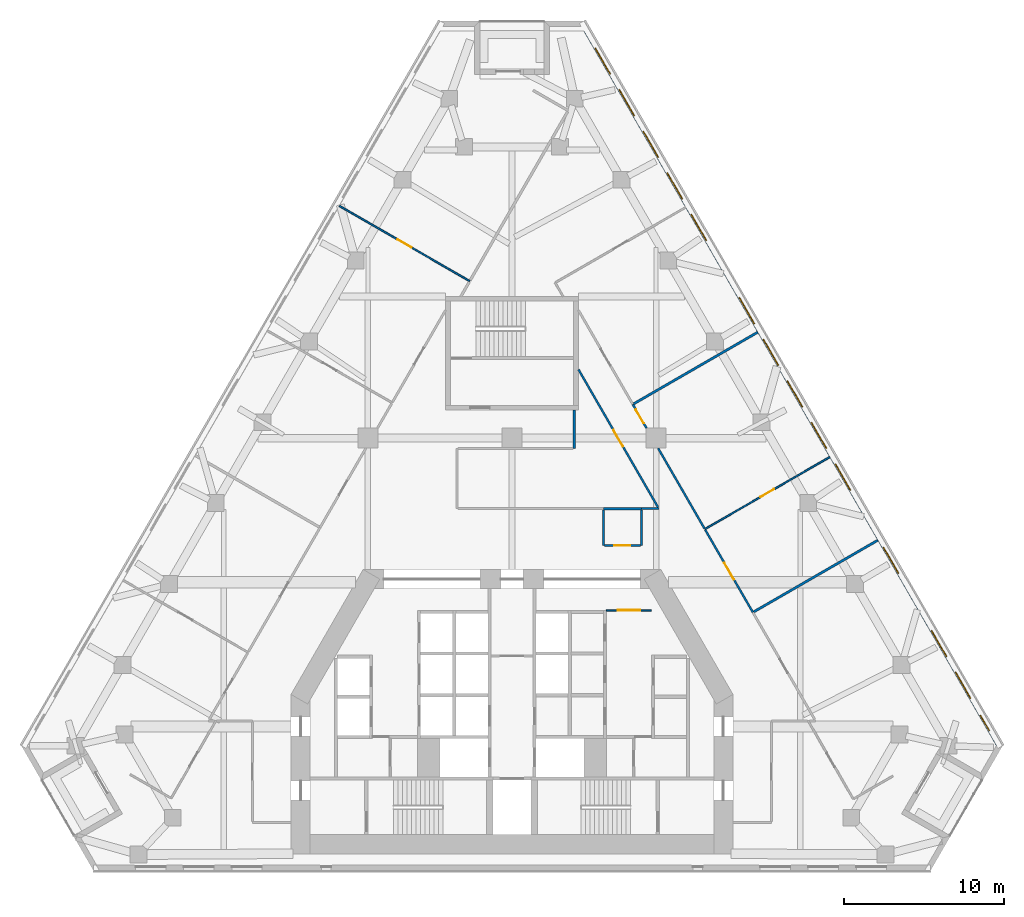
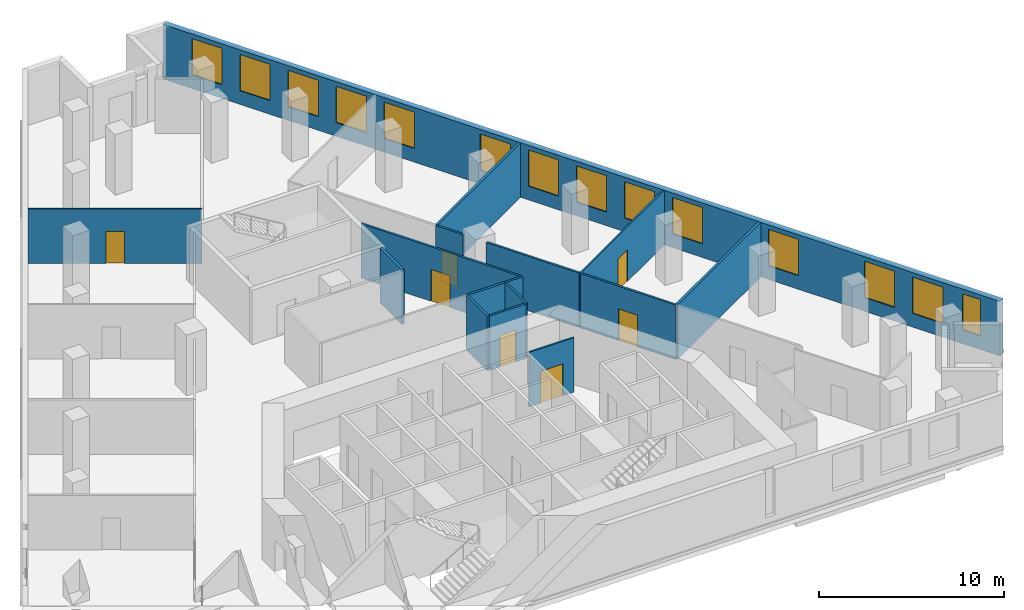
# One storey, part 7 of 9: 16 walls, 14 windows, 7 doors, 21 openings.
"""IFC4 building model written with IfcOpenShell, lengths in metres."""

from ifc_helpers import new_model, si_unit, direction, frame, frame_2d, origin, place, context, subcontext, project, spatial, rectangle, extrude, material, layer, layer_set, type_object, element, fill, save


model = new_model("IFC4")

# Units and contexts
model_context = context("Model", 3, precision=1e-05, world=origin(), true_north=direction((0.0, 1.0)))
body_context = subcontext(model_context, "Body", "Model", "MODEL_VIEW")
ifc_project = project(units=[si_unit("LENGTHUNIT", "METRE"), si_unit("AREAUNIT", "SQUARE_METRE"), si_unit("VOLUMEUNIT", "CUBIC_METRE"), si_unit("PLANEANGLEUNIT", "RADIAN"), si_unit("MASSUNIT", "GRAM", prefix="KILO")], contexts=[model_context])

# Site, building, storey
site_placement = place(None, origin())
site = spatial("IfcSite", under=ifc_project, at=site_placement, CompositionType="ELEMENT")
building_placement = place(site_placement, origin())
building = spatial("IfcBuilding", under=site, at=building_placement, Name="Fogline Exchange Tower", CompositionType="ELEMENT")
storey_placement = place(building_placement, frame((0.0, 0.0, 104.10009765625)))
storey = spatial("IfcBuildingStorey", under=building, at=storey_placement, Name="L22", CompositionType="ELEMENT", Elevation=104.10009765625)

# Wall, opening, door
ifc_material_1 = material(Name="Blockwork partition", Category="masonry")
ifc_layer_1 = layer(ifc_material_1, 0.10009765625)
ifc_layer_set_1 = layer_set([ifc_layer_1], Name="CW10")
wall_type_1 = type_object("IfcWallType", Name="CW10", PredefinedType="PARTITIONING", material=ifc_layer_set_1)
wall_1_placement = place(storey_placement, frame((5.89990234375, 16.25, 0.0), z_axis=(0.0, 0.0, 1.0), x_axis=(1.0, 0.0, 0.0)))
wall_1 = element("IfcWall", 1, at=wall_1_placement, inside=storey, type_object=wall_type_1, Name="Lift lobby partition", PredefinedType="PARTITIONING", context=body_context, shape_type="SweptSolid", body=[
    extrude(rectangle(XDim=2.800048828125, YDim=0.10009765625, at=frame_2d((1.39990234375, 0.0))), origin(), (0.0, 0.0, 1.0), 3.599853515625),
])
opening_1_placement = place(wall_1_placement, frame((0.699951171875, 0.0, 0.0)))
opening_1 = element("IfcOpeningElement", 2, at=opening_1_placement, cuts=wall_1, Name="Opening T06-C012", PredefinedType="OPENING", context=body_context, shape_type="SweptSolid", body=[
    extrude(rectangle(XDim=1.39990234375, YDim=2.10009765625, at=frame_2d((0.699951171875, 1.050048828125))), frame((0.0, 0.06005859375, 0.0), z_axis=(0.0, -1.0, 0.0), x_axis=(1.0, 0.0, 0.0)), (0.0, 0.0, 1.0), 0.1201171875),
])
ifc_material_2 = material(Name="Steel and timber fire door", Category="steel")
door_type_1 = type_object("IfcDoorType", Name="D-LB1", OperationType="DOUBLE_DOOR_SINGLE_SWING", PredefinedType="DOOR", material=ifc_material_2)
door_1_placement = place(opening_1_placement, origin())
door_1 = element("IfcDoor", 3, at=door_1_placement, inside=storey, type_object=door_type_1, Name="Door to lift lobby", OperationType="DOUBLE_DOOR_SINGLE_SWING", OverallHeight=2.10009765625, OverallWidth=1.39990234375, PredefinedType="DOOR", context=body_context, shape_type="SweptSolid", body=[
    extrude(rectangle(XDim=1.39990234375, YDim=2.10009765625, at=frame_2d((0.699951171875, 1.050048828125))), frame((0.0, 0.02490234375, 0.0), z_axis=(0.0, -1.0, 0.0), x_axis=(1.0, 0.0, 0.0)), (0.0, 0.0, 1.0), 0.050048828125),
])
fill(opening_1, door_1)

# Wall, openings, windows
ifc_material_3 = material(Name="Brick masonry", Category="masonry")
ifc_layer_2 = layer(ifc_material_3, 0.340087890625)
ifc_layer_set_2 = layer_set([ifc_layer_2], Name="FW1")
wall_type_2 = type_object("IfcWallType", Name="FW1", PredefinedType="SOLIDWALL", material=ifc_layer_set_2)
wall_2_placement = place(storey_placement, frame((30.49072265625, 7.709228515625, 0.0), z_axis=(0.0, 0.0, 1.0), x_axis=(-0.499998162791, 0.866026464495, 0.0)))
wall_2 = element("IfcWall", 4, at=wall_2_placement, inside=storey, type_object=wall_type_2, Name="Brick wall L22 E", PredefinedType="SOLIDWALL", context=body_context, shape_type="SweptSolid", body=[
    extrude(rectangle(XDim=52.276123046875, YDim=0.340087890625, at=frame_2d((26.13818359375, 0.0))), origin(), (0.0, 0.0, 1.0), 3.599853515625),
])
opening_2_placement = place(wall_2_placement, frame((3.569091796875, 0.0, 0.89990234375)))
opening_2 = element("IfcOpeningElement", 5, at=opening_2_placement, cuts=wall_2, Name="Opening W1", PredefinedType="OPENING", context=body_context, shape_type="SweptSolid", body=[
    extrude(rectangle(XDim=1.885009765625, YDim=2.39990234375, at=frame_2d((0.9423828125, 1.199951171875))), frame((0.0, 0.18017578125, 0.0), z_axis=(0.0, -1.0, 0.0), x_axis=(1.0, 0.0, 0.0)), (0.0, 0.0, 1.0), 0.360107421875),
])
opening_3_placement = place(wall_2_placement, frame((6.569091796875, 0.0, 0.89990234375)))
opening_3 = element("IfcOpeningElement", 6, at=opening_3_placement, cuts=wall_2, Name="Opening W1", PredefinedType="OPENING", context=body_context, shape_type="SweptSolid", body=[
    extrude(rectangle(XDim=1.885009765625, YDim=2.39990234375, at=frame_2d((0.9423828125, 1.199951171875))), frame((0.0, 0.18017578125, 0.0), z_axis=(0.0, -1.0, 0.0), x_axis=(1.0, 0.0, 0.0)), (0.0, 0.0, 1.0), 0.360107421875),
])
opening_4_placement = place(wall_2_placement, frame((12.569091796875, 0.0, 0.89990234375)))
opening_4 = element("IfcOpeningElement", 7, at=opening_4_placement, cuts=wall_2, Name="Opening W1", PredefinedType="OPENING", context=body_context, shape_type="SweptSolid", body=[
    extrude(rectangle(XDim=1.885009765625, YDim=2.39990234375, at=frame_2d((0.9423828125, 1.199951171875))), frame((0.0, 0.18017578125, 0.0), z_axis=(0.0, -1.0, 0.0), x_axis=(1.0, 0.0, 0.0)), (0.0, 0.0, 1.0), 0.360107421875),
])
opening_5_placement = place(wall_2_placement, frame((18.569091796875, 0.0, 0.89990234375)))
opening_5 = element("IfcOpeningElement", 8, at=opening_5_placement, cuts=wall_2, Name="Opening W1", PredefinedType="OPENING", context=body_context, shape_type="SweptSolid", body=[
    extrude(rectangle(XDim=1.885009765625, YDim=2.39990234375, at=frame_2d((0.9423828125, 1.199951171875))), frame((0.0, 0.18017578125, 0.0), z_axis=(0.0, -1.0, 0.0), x_axis=(1.0, 0.0, 0.0)), (0.0, 0.0, 1.0), 0.360107421875),
])
opening_6_placement = place(wall_2_placement, frame((21.569091796875, 0.0, 0.89990234375)))
opening_6 = element("IfcOpeningElement", 9, at=opening_6_placement, cuts=wall_2, Name="Opening W1", PredefinedType="OPENING", context=body_context, shape_type="SweptSolid", body=[
    extrude(rectangle(XDim=1.885009765625, YDim=2.39990234375, at=frame_2d((0.9423828125, 1.199951171875))), frame((0.0, 0.18017578125, 0.0), z_axis=(0.0, -1.0, 0.0), x_axis=(1.0, 0.0, 0.0)), (0.0, 0.0, 1.0), 0.360107421875),
])
opening_7_placement = place(wall_2_placement, frame((24.569091796875, 0.0, 0.89990234375)))
opening_7 = element("IfcOpeningElement", 10, at=opening_7_placement, cuts=wall_2, Name="Opening W1", PredefinedType="OPENING", context=body_context, shape_type="SweptSolid", body=[
    extrude(rectangle(XDim=1.885009765625, YDim=2.39990234375, at=frame_2d((0.9423828125, 1.199951171875))), frame((0.0, 0.18017578125, 0.0), z_axis=(0.0, -1.0, 0.0), x_axis=(1.0, 0.0, 0.0)), (0.0, 0.0, 1.0), 0.360107421875),
])
opening_8_placement = place(wall_2_placement, frame((27.569091796875, 0.0, 0.89990234375)))
opening_8 = element("IfcOpeningElement", 11, at=opening_8_placement, cuts=wall_2, Name="Opening W1", PredefinedType="OPENING", context=body_context, shape_type="SweptSolid", body=[
    extrude(rectangle(XDim=1.885009765625, YDim=2.39990234375, at=frame_2d((0.9423828125, 1.199951171875))), frame((0.0, 0.18017578125, 0.0), z_axis=(0.0, -1.0, 0.0), x_axis=(1.0, 0.0, 0.0)), (0.0, 0.0, 1.0), 0.360107421875),
])
opening_9_placement = place(wall_2_placement, frame((30.569091796875, 0.0, 0.89990234375)))
opening_9 = element("IfcOpeningElement", 12, at=opening_9_placement, cuts=wall_2, Name="Opening W1", PredefinedType="OPENING", context=body_context, shape_type="SweptSolid", body=[
    extrude(rectangle(XDim=1.885009765625, YDim=2.39990234375, at=frame_2d((0.9423828125, 1.199951171875))), frame((0.0, 0.18017578125, 0.0), z_axis=(0.0, -1.0, 0.0), x_axis=(1.0, 0.0, 0.0)), (0.0, 0.0, 1.0), 0.360107421875),
])
opening_10_placement = place(wall_2_placement, frame((36.569091796875, 0.0, 0.89990234375)))
opening_10 = element("IfcOpeningElement", 13, at=opening_10_placement, cuts=wall_2, Name="Opening W1", PredefinedType="OPENING", context=body_context, shape_type="SweptSolid", body=[
    extrude(rectangle(XDim=1.885009765625, YDim=2.39990234375, at=frame_2d((0.9423828125, 1.199951171875))), frame((0.0, 0.18017578125, 0.0), z_axis=(0.0, -1.0, 0.0), x_axis=(1.0, 0.0, 0.0)), (0.0, 0.0, 1.0), 0.360107421875),
])
opening_11_placement = place(wall_2_placement, frame((39.569091796875, 0.0, 0.89990234375)))
opening_11 = element("IfcOpeningElement", 14, at=opening_11_placement, cuts=wall_2, Name="Opening W1", PredefinedType="OPENING", context=body_context, shape_type="SweptSolid", body=[
    extrude(rectangle(XDim=1.885009765625, YDim=2.39990234375, at=frame_2d((0.9423828125, 1.199951171875))), frame((0.0, 0.18017578125, 0.0), z_axis=(0.0, -1.0, 0.0), x_axis=(1.0, 0.0, 0.0)), (0.0, 0.0, 1.0), 0.360107421875),
])
opening_12_placement = place(wall_2_placement, frame((42.569091796875, 0.0, 0.89990234375)))
opening_12 = element("IfcOpeningElement", 15, at=opening_12_placement, cuts=wall_2, Name="Opening W1", PredefinedType="OPENING", context=body_context, shape_type="SweptSolid", body=[
    extrude(rectangle(XDim=1.885009765625, YDim=2.39990234375, at=frame_2d((0.9423828125, 1.199951171875))), frame((0.0, 0.18017578125, 0.0), z_axis=(0.0, -1.0, 0.0), x_axis=(1.0, 0.0, 0.0)), (0.0, 0.0, 1.0), 0.360107421875),
])
opening_13_placement = place(wall_2_placement, frame((45.569091796875, 0.0, 0.89990234375)))
opening_13 = element("IfcOpeningElement", 16, at=opening_13_placement, cuts=wall_2, Name="Opening W1", PredefinedType="OPENING", context=body_context, shape_type="SweptSolid", body=[
    extrude(rectangle(XDim=1.885009765625, YDim=2.39990234375, at=frame_2d((0.9423828125, 1.199951171875))), frame((0.0, 0.18017578125, 0.0), z_axis=(0.0, -1.0, 0.0), x_axis=(1.0, 0.0, 0.0)), (0.0, 0.0, 1.0), 0.360107421875),
])
opening_14_placement = place(wall_2_placement, frame((48.569091796875, 0.0, 0.89990234375)))
opening_14 = element("IfcOpeningElement", 17, at=opening_14_placement, cuts=wall_2, Name="Opening W1", PredefinedType="OPENING", context=body_context, shape_type="SweptSolid", body=[
    extrude(rectangle(XDim=1.885009765625, YDim=2.39990234375, at=frame_2d((0.9423828125, 1.199951171875))), frame((0.0, 0.18017578125, 0.0), z_axis=(0.0, -1.0, 0.0), x_axis=(1.0, 0.0, 0.0)), (0.0, 0.0, 1.0), 0.360107421875),
])
opening_15_placement = place(wall_2_placement, frame((1.22705078125, 0.0, 0.89990234375)))
opening_15 = element("IfcOpeningElement", 18, at=opening_15_placement, cuts=wall_2, Name="Opening W4", PredefinedType="OPENING", context=body_context, shape_type="SweptSolid", body=[
    extrude(rectangle(XDim=1.114990234375, YDim=2.39990234375, at=frame_2d((0.5576171875, 1.199951171875))), frame((0.0, 0.18017578125, 0.0), z_axis=(0.0, -1.0, 0.0), x_axis=(1.0, 0.0, 0.0)), (0.0, 0.0, 1.0), 0.360107421875),
])
ifc_material_4 = material(Name="Aluminium and glass", Category="aluminium")
window_type_1 = type_object("IfcWindowType", Name="W1", PartitioningType="SINGLE_PANEL", PredefinedType="WINDOW", material=ifc_material_4)
window_1_placement = place(opening_2_placement, origin())
window_1 = element("IfcWindow", 19, at=window_1_placement, inside=storey, type_object=window_type_1, Name="W1 W1", OverallHeight=2.39990234375, OverallWidth=1.885009765625, PartitioningType="SINGLE_PANEL", PredefinedType="WINDOW", context=body_context, shape_type="SweptSolid", body=[
    extrude(rectangle(XDim=1.885009765625, YDim=2.39990234375, at=frame_2d((0.9423828125, 1.199951171875))), frame((0.0, 0.110107421875, 0.0), z_axis=(0.0, -1.0, 0.0), x_axis=(1.0, 0.0, 0.0)), (0.0, 0.0, 1.0), 0.06005859375),
])
fill(opening_2, window_1)
window_2_placement = place(opening_3_placement, origin())
window_2 = element("IfcWindow", 20, at=window_2_placement, inside=storey, type_object=window_type_1, Name="W1 W1", OverallHeight=2.39990234375, OverallWidth=1.885009765625, PartitioningType="SINGLE_PANEL", PredefinedType="WINDOW", context=body_context, shape_type="SweptSolid", body=[
    extrude(rectangle(XDim=1.885009765625, YDim=2.39990234375, at=frame_2d((0.9423828125, 1.199951171875))), frame((0.0, 0.110107421875, 0.0), z_axis=(0.0, -1.0, 0.0), x_axis=(1.0, 0.0, 0.0)), (0.0, 0.0, 1.0), 0.06005859375),
])
fill(opening_3, window_2)
window_3_placement = place(opening_4_placement, origin())
window_3 = element("IfcWindow", 21, at=window_3_placement, inside=storey, type_object=window_type_1, Name="W1 W1", OverallHeight=2.39990234375, OverallWidth=1.885009765625, PartitioningType="SINGLE_PANEL", PredefinedType="WINDOW", context=body_context, shape_type="SweptSolid", body=[
    extrude(rectangle(XDim=1.885009765625, YDim=2.39990234375, at=frame_2d((0.9423828125, 1.199951171875))), frame((0.0, 0.110107421875, 0.0), z_axis=(0.0, -1.0, 0.0), x_axis=(1.0, 0.0, 0.0)), (0.0, 0.0, 1.0), 0.06005859375),
])
fill(opening_4, window_3)
window_4_placement = place(opening_5_placement, origin())
window_4 = element("IfcWindow", 22, at=window_4_placement, inside=storey, type_object=window_type_1, Name="W1 W1", OverallHeight=2.39990234375, OverallWidth=1.885009765625, PartitioningType="SINGLE_PANEL", PredefinedType="WINDOW", context=body_context, shape_type="SweptSolid", body=[
    extrude(rectangle(XDim=1.885009765625, YDim=2.39990234375, at=frame_2d((0.9423828125, 1.199951171875))), frame((0.0, 0.110107421875, 0.0), z_axis=(0.0, -1.0, 0.0), x_axis=(1.0, 0.0, 0.0)), (0.0, 0.0, 1.0), 0.06005859375),
])
fill(opening_5, window_4)
window_5_placement = place(opening_6_placement, origin())
window_5 = element("IfcWindow", 23, at=window_5_placement, inside=storey, type_object=window_type_1, Name="W1 W1", OverallHeight=2.39990234375, OverallWidth=1.885009765625, PartitioningType="SINGLE_PANEL", PredefinedType="WINDOW", context=body_context, shape_type="SweptSolid", body=[
    extrude(rectangle(XDim=1.885009765625, YDim=2.39990234375, at=frame_2d((0.9423828125, 1.199951171875))), frame((0.0, 0.110107421875, 0.0), z_axis=(0.0, -1.0, 0.0), x_axis=(1.0, 0.0, 0.0)), (0.0, 0.0, 1.0), 0.06005859375),
])
fill(opening_6, window_5)
window_6_placement = place(opening_7_placement, origin())
window_6 = element("IfcWindow", 24, at=window_6_placement, inside=storey, type_object=window_type_1, Name="W1 W1", OverallHeight=2.39990234375, OverallWidth=1.885009765625, PartitioningType="SINGLE_PANEL", PredefinedType="WINDOW", context=body_context, shape_type="SweptSolid", body=[
    extrude(rectangle(XDim=1.885009765625, YDim=2.39990234375, at=frame_2d((0.9423828125, 1.199951171875))), frame((0.0, 0.110107421875, 0.0), z_axis=(0.0, -1.0, 0.0), x_axis=(1.0, 0.0, 0.0)), (0.0, 0.0, 1.0), 0.06005859375),
])
fill(opening_7, window_6)
window_7_placement = place(opening_8_placement, origin())
window_7 = element("IfcWindow", 25, at=window_7_placement, inside=storey, type_object=window_type_1, Name="W1 W1", OverallHeight=2.39990234375, OverallWidth=1.885009765625, PartitioningType="SINGLE_PANEL", PredefinedType="WINDOW", context=body_context, shape_type="SweptSolid", body=[
    extrude(rectangle(XDim=1.885009765625, YDim=2.39990234375, at=frame_2d((0.9423828125, 1.199951171875))), frame((0.0, 0.110107421875, 0.0), z_axis=(0.0, -1.0, 0.0), x_axis=(1.0, 0.0, 0.0)), (0.0, 0.0, 1.0), 0.06005859375),
])
fill(opening_8, window_7)
window_8_placement = place(opening_9_placement, origin())
window_8 = element("IfcWindow", 26, at=window_8_placement, inside=storey, type_object=window_type_1, Name="W1 W1", OverallHeight=2.39990234375, OverallWidth=1.885009765625, PartitioningType="SINGLE_PANEL", PredefinedType="WINDOW", context=body_context, shape_type="SweptSolid", body=[
    extrude(rectangle(XDim=1.885009765625, YDim=2.39990234375, at=frame_2d((0.9423828125, 1.199951171875))), frame((0.0, 0.110107421875, 0.0), z_axis=(0.0, -1.0, 0.0), x_axis=(1.0, 0.0, 0.0)), (0.0, 0.0, 1.0), 0.06005859375),
])
fill(opening_9, window_8)
window_9_placement = place(opening_10_placement, origin())
window_9 = element("IfcWindow", 27, at=window_9_placement, inside=storey, type_object=window_type_1, Name="W1 W1", OverallHeight=2.39990234375, OverallWidth=1.885009765625, PartitioningType="SINGLE_PANEL", PredefinedType="WINDOW", context=body_context, shape_type="SweptSolid", body=[
    extrude(rectangle(XDim=1.885009765625, YDim=2.39990234375, at=frame_2d((0.9423828125, 1.199951171875))), frame((0.0, 0.110107421875, 0.0), z_axis=(0.0, -1.0, 0.0), x_axis=(1.0, 0.0, 0.0)), (0.0, 0.0, 1.0), 0.06005859375),
])
fill(opening_10, window_9)
window_10_placement = place(opening_11_placement, origin())
window_10 = element("IfcWindow", 28, at=window_10_placement, inside=storey, type_object=window_type_1, Name="W1 W1", OverallHeight=2.39990234375, OverallWidth=1.885009765625, PartitioningType="SINGLE_PANEL", PredefinedType="WINDOW", context=body_context, shape_type="SweptSolid", body=[
    extrude(rectangle(XDim=1.885009765625, YDim=2.39990234375, at=frame_2d((0.9423828125, 1.199951171875))), frame((0.0, 0.110107421875, 0.0), z_axis=(0.0, -1.0, 0.0), x_axis=(1.0, 0.0, 0.0)), (0.0, 0.0, 1.0), 0.06005859375),
])
fill(opening_11, window_10)
window_11_placement = place(opening_12_placement, origin())
window_11 = element("IfcWindow", 29, at=window_11_placement, inside=storey, type_object=window_type_1, Name="W1 W1", OverallHeight=2.39990234375, OverallWidth=1.885009765625, PartitioningType="SINGLE_PANEL", PredefinedType="WINDOW", context=body_context, shape_type="SweptSolid", body=[
    extrude(rectangle(XDim=1.885009765625, YDim=2.39990234375, at=frame_2d((0.9423828125, 1.199951171875))), frame((0.0, 0.110107421875, 0.0), z_axis=(0.0, -1.0, 0.0), x_axis=(1.0, 0.0, 0.0)), (0.0, 0.0, 1.0), 0.06005859375),
])
fill(opening_12, window_11)
window_12_placement = place(opening_13_placement, origin())
window_12 = element("IfcWindow", 30, at=window_12_placement, inside=storey, type_object=window_type_1, Name="W1 W1", OverallHeight=2.39990234375, OverallWidth=1.885009765625, PartitioningType="SINGLE_PANEL", PredefinedType="WINDOW", context=body_context, shape_type="SweptSolid", body=[
    extrude(rectangle(XDim=1.885009765625, YDim=2.39990234375, at=frame_2d((0.9423828125, 1.199951171875))), frame((0.0, 0.110107421875, 0.0), z_axis=(0.0, -1.0, 0.0), x_axis=(1.0, 0.0, 0.0)), (0.0, 0.0, 1.0), 0.06005859375),
])
fill(opening_13, window_12)
window_13_placement = place(opening_14_placement, origin())
window_13 = element("IfcWindow", 31, at=window_13_placement, inside=storey, type_object=window_type_1, Name="W1 W1", OverallHeight=2.39990234375, OverallWidth=1.885009765625, PartitioningType="SINGLE_PANEL", PredefinedType="WINDOW", context=body_context, shape_type="SweptSolid", body=[
    extrude(rectangle(XDim=1.885009765625, YDim=2.39990234375, at=frame_2d((0.9423828125, 1.199951171875))), frame((0.0, 0.110107421875, 0.0), z_axis=(0.0, -1.0, 0.0), x_axis=(1.0, 0.0, 0.0)), (0.0, 0.0, 1.0), 0.06005859375),
])
fill(opening_14, window_13)
window_type_2 = type_object("IfcWindowType", Name="W4", PartitioningType="SINGLE_PANEL", PredefinedType="WINDOW", material=ifc_material_4)
window_14_placement = place(opening_15_placement, origin())
window_14 = element("IfcWindow", 32, at=window_14_placement, inside=storey, type_object=window_type_2, Name="W4 W4", OverallHeight=2.39990234375, OverallWidth=1.114990234375, PartitioningType="SINGLE_PANEL", PredefinedType="WINDOW", context=body_context, shape_type="SweptSolid", body=[
    extrude(rectangle(XDim=1.114990234375, YDim=2.39990234375, at=frame_2d((0.5576171875, 1.199951171875))), frame((0.0, 0.110107421875, 0.0), z_axis=(0.0, -1.0, 0.0), x_axis=(1.0, 0.0, 0.0)), (0.0, 0.0, 1.0), 0.06005859375),
])
fill(opening_15, window_14)

# Wall, opening, door
ifc_material_5 = material(Name="Plasterboard partition, 2 layers each side on steel studs", Category="steel")
ifc_layer_3 = layer(ifc_material_5, 0.10009765625)
ifc_layer_set_3 = layer_set([ifc_layer_3], Name="PW1")
wall_type_3 = type_object("IfcWallType", Name="PW1", PredefinedType="PARTITIONING", material=ifc_layer_set_3)
wall_3_placement = place(storey_placement, frame((12.043701171875, 21.32080078125, 0.0), z_axis=(0.0, 0.0, 1.0), x_axis=(0.866024315419, 0.5000018851, 0.0)))
wall_3 = element("IfcWall", 33, at=wall_3_placement, inside=storey, type_object=wall_type_3, Name="wall-L22-W028", PredefinedType="PARTITIONING", context=body_context, shape_type="SweptSolid", body=[
    extrude(rectangle(XDim=9.0, YDim=0.10009765625, at=frame_2d((4.5, 0.0))), origin(), (0.0, 0.0, 1.0), 3.599853515625),
])
opening_16_placement = place(wall_3_placement, frame((4.0, 0.0, 0.0)))
opening_16 = element("IfcOpeningElement", 34, at=opening_16_placement, cuts=wall_3, Name="Opening T06-D013", PredefinedType="OPENING", context=body_context, shape_type="SweptSolid", body=[
    extrude(rectangle(XDim=1.0, YDim=2.10009765625, at=frame_2d((0.5, 1.050048828125))), frame((0.0, 0.06005859375, 0.0), z_axis=(0.0, -1.0, 0.0), x_axis=(1.0, 0.0, 0.0)), (0.0, 0.0, 1.0), 0.1201171875),
])
ifc_material_6 = material(Name="Timber door leaf with steel frame", Category="steel")
door_type_2 = type_object("IfcDoorType", Name="D1", OperationType="SINGLE_SWING_LEFT", PredefinedType="DOOR", material=ifc_material_6)
door_2_placement = place(opening_16_placement, frame((1.0, 0.0, 0.0), z_axis=(0.0, 0.0, 1.0), x_axis=(-1.0, 0.0, 0.0)))
door_2 = element("IfcDoor", 35, at=door_2_placement, inside=storey, type_object=door_type_2, Name="door-L22-D013", OperationType="SINGLE_SWING_RIGHT", OverallHeight=2.10009765625, OverallWidth=1.0, PredefinedType="DOOR", context=body_context, shape_type="SweptSolid", body=[
    extrude(rectangle(XDim=1.0, YDim=2.10009765625, at=frame_2d((0.5, 1.050048828125))), frame((0.0, 0.02490234375, 0.0), z_axis=(0.0, -1.0, 0.0), x_axis=(1.0, 0.0, 0.0)), (0.0, 0.0, 1.0), 0.050048828125),
])
fill(opening_16, door_2)

wall_4_placement = place(storey_placement, frame((-2.6396484375, 36.808837890625, 0.0), z_axis=(0.0, 0.0, 1.0), x_axis=(-0.866027286158, 0.499996739618, 0.0)))
wall_4 = element("IfcWall", 36, at=wall_4_placement, inside=storey, type_object=wall_type_3, Name="wall-L22-W038", PredefinedType="PARTITIONING", context=body_context, shape_type="SweptSolid", body=[
    extrude(rectangle(XDim=9.39990234375, YDim=0.10009765625, at=frame_2d((4.699951171875, 0.0))), origin(), (0.0, 0.0, 1.0), 3.599853515625),
])
opening_17_placement = place(wall_4_placement, frame((4.199951171875, 0.0, 0.0)))
opening_17 = element("IfcOpeningElement", 37, at=opening_17_placement, cuts=wall_4, Name="Opening T06-D015", PredefinedType="OPENING", context=body_context, shape_type="SweptSolid", body=[
    extrude(rectangle(XDim=1.0, YDim=2.10009765625, at=frame_2d((0.5, 1.050048828125))), frame((0.0, 0.06005859375, 0.0), z_axis=(0.0, -1.0, 0.0), x_axis=(1.0, 0.0, 0.0)), (0.0, 0.0, 1.0), 0.1201171875),
])
door_3_placement = place(opening_17_placement, origin())
door_3 = element("IfcDoor", 38, at=door_3_placement, inside=storey, type_object=door_type_2, Name="door-L22-D015", OperationType="SINGLE_SWING_LEFT", OverallHeight=2.10009765625, OverallWidth=1.0, PredefinedType="DOOR", context=body_context, shape_type="SweptSolid", body=[
    extrude(rectangle(XDim=1.0, YDim=2.10009765625, at=frame_2d((0.5, 1.050048828125))), frame((0.0, 0.02490234375, 0.0), z_axis=(0.0, -1.0, 0.0), x_axis=(1.0, 0.0, 0.0)), (0.0, 0.0, 1.0), 0.050048828125),
])
fill(opening_17, door_3)

# Wall
ifc_material_7 = material(Name="Plasterboard corridor partition with mineral wool, 2 layers each side")
ifc_layer_4 = layer(ifc_material_7, 0.125)
ifc_layer_set_4 = layer_set([ifc_layer_4], Name="PW2")
wall_type_4 = type_object("IfcWallType", Name="PW2", PredefinedType="PARTITIONING", material=ifc_layer_set_4)
wall_5_placement = place(storey_placement, frame((5.699951171875, 22.5244140625, 0.0), z_axis=(0.0, 0.0, 1.0), x_axis=(0.0, -1.0, 0.0)))
element("IfcWall", 39, at=wall_5_placement, inside=storey, type_object=wall_type_4, Name="wall-L22-W003", PredefinedType="PARTITIONING", context=body_context, shape_type="SweptSolid", body=[
    extrude(rectangle(XDim=2.224365234375, YDim=0.125, at=frame_2d((1.1123046875, 0.0))), origin(), (0.0, 0.0, 1.0), 3.599853515625),
])

# Wall, opening, door
wall_6_placement = place(storey_placement, frame((5.762451171875, 20.300048828125, 0.0), z_axis=(0.0, 0.0, 1.0), x_axis=(1.0, 0.0, 0.0)))
wall_6 = element("IfcWall", 40, at=wall_6_placement, inside=storey, type_object=wall_type_4, Name="wall-L22-W004", PredefinedType="PARTITIONING", context=body_context, shape_type="SweptSolid", body=[
    extrude(rectangle(XDim=2.275146484375, YDim=0.125, at=frame_2d((1.1376953125, 0.0))), origin(), (0.0, 0.0, 1.0), 3.599853515625),
])
opening_18_placement = place(wall_6_placement, frame((0.637451171875, 0.0, 0.0)))
opening_18 = element("IfcOpeningElement", 41, at=opening_18_placement, cuts=wall_6, Name="Opening T06-D002", PredefinedType="OPENING", context=body_context, shape_type="SweptSolid", body=[
    extrude(rectangle(XDim=1.0, YDim=2.10009765625, at=frame_2d((0.5, 1.050048828125))), frame((0.0, 0.072509765625, 0.0), z_axis=(0.0, -1.0, 0.0), x_axis=(1.0, 0.0, 0.0)), (0.0, 0.0, 1.0), 0.14501953125),
])
ifc_material_8 = material(Name="Fire-rated timber door leaf with steel frame", Category="steel")
door_type_3 = type_object("IfcDoorType", Name="D3", OperationType="SINGLE_SWING_LEFT", PredefinedType="DOOR", material=ifc_material_8)
door_4_placement = place(opening_18_placement, origin())
door_4 = element("IfcDoor", 42, at=door_4_placement, inside=storey, type_object=door_type_3, Name="door-L22-D002", OperationType="SINGLE_SWING_LEFT", OverallHeight=2.10009765625, OverallWidth=1.0, PredefinedType="DOOR", context=body_context, shape_type="SweptSolid", body=[
    extrude(rectangle(XDim=1.0, YDim=2.10009765625, at=frame_2d((0.5, 1.050048828125))), frame((0.0, 0.02490234375, 0.0), z_axis=(0.0, -1.0, 0.0), x_axis=(1.0, 0.0, 0.0)), (0.0, 0.0, 1.0), 0.050048828125),
])
fill(opening_18, door_4)

# Walls
wall_7_placement = place(storey_placement, frame((8.10009765625, 20.300048828125, 0.0), z_axis=(0.0, 0.0, 1.0), x_axis=(0.0, 1.0, 0.0)))
element("IfcWall", 43, at=wall_7_placement, inside=storey, type_object=wall_type_4, Name="wall-L22-W005", PredefinedType="PARTITIONING", context=body_context, shape_type="SweptSolid", body=[
    extrude(rectangle(XDim=2.224853515625, YDim=0.125, at=frame_2d((1.1123046875, 0.0))), origin(), (0.0, 0.0, 1.0), 3.599853515625),
])
wall_8_placement = place(storey_placement, frame((8.10009765625, 22.60009765625, 0.0), z_axis=(0.0, 0.0, 1.0), x_axis=(1.0, 0.0, 0.0)))
element("IfcWall", 44, at=wall_8_placement, inside=storey, type_object=wall_type_4, Name="wall-L22-W007", PredefinedType="PARTITIONING", context=body_context, shape_type="SweptSolid", body=[
    extrude(rectangle(XDim=1.068603515625, YDim=0.125, at=frame_2d((0.5341796875, 0.0))), origin(), (0.0, 0.0, 1.0), 3.599853515625),
])

# Wall, opening, door
wall_9_placement = place(storey_placement, frame((12.06884765625, 21.277099609375, 0.0), z_axis=(0.0, 0.0, 1.0), x_axis=(0.500000694566, -0.866025002776, 0.0)))
wall_9 = element("IfcWall", 45, at=wall_9_placement, inside=storey, type_object=wall_type_4, Name="wall-L22-W019", PredefinedType="PARTITIONING", context=body_context, shape_type="SweptSolid", body=[
    extrude(rectangle(XDim=5.94970703125, YDim=0.125, at=frame_2d((2.974853515625, 0.0))), origin(), (0.0, 0.0, 1.0), 3.599853515625),
])
opening_19_placement = place(wall_9_placement, frame((2.374755859375, 0.0, 0.0)))
opening_19 = element("IfcOpeningElement", 46, at=opening_19_placement, cuts=wall_9, Name="Opening T06-D008", PredefinedType="OPENING", context=body_context, shape_type="SweptSolid", body=[
    extrude(rectangle(XDim=1.199951171875, YDim=2.10009765625, at=frame_2d((0.60009765625, 1.050048828125))), frame((0.0, 0.072509765625, 0.0), z_axis=(0.0, -1.0, 0.0), x_axis=(1.0, 0.0, 0.0)), (0.0, 0.0, 1.0), 0.14501953125),
])
ifc_material_9 = material(Name="Fire-rated glazed door leaf with steel frame", Category="steel")
door_type_4 = type_object("IfcDoorType", Name="D5", OperationType="SINGLE_SWING_LEFT", PredefinedType="DOOR", material=ifc_material_9)
door_5_placement = place(opening_19_placement, origin())
door_5 = element("IfcDoor", 47, at=door_5_placement, inside=storey, type_object=door_type_4, Name="door-L22-D008", OperationType="SINGLE_SWING_LEFT", OverallHeight=2.10009765625, OverallWidth=1.199951171875, PredefinedType="DOOR", context=body_context, shape_type="SweptSolid", body=[
    extrude(rectangle(XDim=1.199951171875, YDim=2.10009765625, at=frame_2d((0.60009765625, 1.050048828125))), frame((0.0, 0.02490234375, 0.0), z_axis=(0.0, -1.0, 0.0), x_axis=(1.0, 0.0, 0.0)), (0.0, 0.0, 1.0), 0.050048828125),
])
fill(opening_19, door_5)

wall_10_placement = place(storey_placement, frame((7.543701171875, 29.114990234375, 0.0), z_axis=(0.0, 0.0, 1.0), x_axis=(0.499939472521, -0.866060346521, 0.0)))
wall_10 = element("IfcWall", 48, at=wall_10_placement, inside=storey, type_object=wall_type_4, Name="wall-L22-W020", PredefinedType="PARTITIONING", context=body_context, shape_type="SweptSolid", body=[
    extrude(rectangle(XDim=1.720458984375, YDim=0.125, at=frame_2d((0.8603515625, 0.0))), origin(), (0.0, 0.0, 1.0), 3.599853515625),
])
opening_20_placement = place(wall_10_placement, frame((0.360107421875, 0.0, 0.0)))
opening_20 = element("IfcOpeningElement", 49, at=opening_20_placement, cuts=wall_10, Name="Opening T06-D009", PredefinedType="OPENING", context=body_context, shape_type="SweptSolid", body=[
    extrude(rectangle(XDim=1.0, YDim=2.10009765625, at=frame_2d((0.5, 1.050048828125))), frame((0.0, 0.072509765625, 0.0), z_axis=(0.0, -1.0, 0.0), x_axis=(1.0, 0.0, 0.0)), (0.0, 0.0, 1.0), 0.14501953125),
])
door_6_placement = place(opening_20_placement, origin())
door_6 = element("IfcDoor", 50, at=door_6_placement, inside=storey, type_object=door_type_3, Name="door-L22-D009", OperationType="SINGLE_SWING_LEFT", OverallHeight=2.10009765625, OverallWidth=1.0, PredefinedType="DOOR", context=body_context, shape_type="SweptSolid", body=[
    extrude(rectangle(XDim=1.0, YDim=2.10009765625, at=frame_2d((0.5, 1.050048828125))), frame((0.0, 0.02490234375, 0.0), z_axis=(0.0, -1.0, 0.0), x_axis=(1.0, 0.0, 0.0)), (0.0, 0.0, 1.0), 0.050048828125),
])
fill(opening_20, door_6)

# Wall
wall_11_placement = place(storey_placement, frame((9.12548828125, 26.375, 0.0), z_axis=(0.0, 0.0, 1.0), x_axis=(0.500001279396, -0.866024665123, 0.0)))
element("IfcWall", 51, at=wall_11_placement, inside=storey, type_object=wall_type_4, Name="wall-L22-W021", PredefinedType="PARTITIONING", context=body_context, shape_type="SweptSolid", body=[
    extrude(rectangle(XDim=5.78564453125, YDim=0.125, at=frame_2d((2.892822265625, 0.0))), origin(), (0.0, 0.0, 1.0), 3.599853515625),
])

# Wall, opening, door
wall_12_placement = place(storey_placement, frame((9.114501953125, 22.694091796875, 0.0), z_axis=(0.0, 0.0, 1.0), x_axis=(-0.500002695529, 0.866023847515, 0.0)))
wall_12 = element("IfcWall", 52, at=wall_12_placement, inside=storey, type_object=wall_type_4, Name="wall-L22-W023", PredefinedType="PARTITIONING", context=body_context, shape_type="SweptSolid", body=[
    extrude(rectangle(XDim=9.92919921875, YDim=0.125, at=frame_2d((4.964599609375, 0.0))), origin(), (0.0, 0.0, 1.0), 3.599853515625),
])
opening_21_placement = place(wall_12_placement, frame((4.364501953125, 0.0, 0.0)))
opening_21 = element("IfcOpeningElement", 53, at=opening_21_placement, cuts=wall_12, Name="Opening T06-D011", PredefinedType="OPENING", context=body_context, shape_type="SweptSolid", body=[
    extrude(rectangle(XDim=1.199951171875, YDim=2.10009765625, at=frame_2d((0.60009765625, 1.050048828125))), frame((0.0, 0.072509765625, 0.0), z_axis=(0.0, -1.0, 0.0), x_axis=(1.0, 0.0, 0.0)), (0.0, 0.0, 1.0), 0.14501953125),
])
door_7_placement = place(opening_21_placement, origin())
door_7 = element("IfcDoor", 54, at=door_7_placement, inside=storey, type_object=door_type_4, Name="door-L22-D011", OperationType="SINGLE_SWING_RIGHT", OverallHeight=2.10009765625, OverallWidth=1.199951171875, PredefinedType="DOOR", context=body_context, shape_type="SweptSolid", body=[
    extrude(rectangle(XDim=1.199951171875, YDim=2.10009765625, at=frame_2d((0.60009765625, 1.050048828125))), frame((0.0, 0.02490234375, 0.0), z_axis=(0.0, -1.0, 0.0), x_axis=(1.0, 0.0, 0.0)), (0.0, 0.0, 1.0), 0.050048828125),
])
fill(opening_21, door_7)

# Walls
ifc_material_10 = material(Name="Plasterboard demising partition with mineral wool and acoustic board")
ifc_layer_5 = layer(ifc_material_10, 0.14990234375)
ifc_layer_set_5 = layer_set([ifc_layer_5], Name="PW3")
wall_type_5 = type_object("IfcWallType", Name="PW3", PredefinedType="PARTITIONING", material=ifc_layer_set_5)
wall_13_placement = place(storey_placement, frame((22.837890625, 20.62451171875, 0.0), z_axis=(0.0, 0.0, 1.0), x_axis=(-0.866040933244, -0.499973101223, 0.0)))
element("IfcWall", 55, at=wall_13_placement, inside=storey, type_object=wall_type_5, Name="wall-L22-W029", PredefinedType="PARTITIONING", context=body_context, shape_type="SweptSolid", body=[
    extrude(rectangle(XDim=8.9375, YDim=0.14990234375, at=frame_2d((4.46875, 0.0))), origin(), (0.0, 0.0, 1.0), 3.599853515625),
])
wall_14_placement = place(storey_placement, frame((5.699951171875, 22.60009765625, 0.0), z_axis=(0.0, 0.0, 1.0), x_axis=(1.0, 0.0, 0.0)))
element("IfcWall", 56, at=wall_14_placement, inside=storey, type_object=wall_type_5, Name="wall-L22-W030", PredefinedType="PARTITIONING", context=body_context, shape_type="SweptSolid", body=[
    extrude(rectangle(XDim=2.400146484375, YDim=0.14990234375, at=frame_2d((1.2001953125, 0.0))), origin(), (0.0, 0.0, 1.0), 3.599853515625),
])
wall_15_placement = place(storey_placement, frame((7.59765625, 29.146240234375, 0.0), z_axis=(0.0, 0.0, 1.0), x_axis=(0.866029105215, 0.49999358888, 0.0)))
element("IfcWall", 57, at=wall_15_placement, inside=storey, type_object=wall_type_5, Name="wall-L22-W031", PredefinedType="PARTITIONING", context=body_context, shape_type="SweptSolid", body=[
    extrude(rectangle(XDim=8.9375, YDim=0.14990234375, at=frame_2d((4.46875, 0.0))), origin(), (0.0, 0.0, 1.0), 3.599853515625),
])
ifc_material_11 = material(Name="Plasterboard stair lobby partition, 3 layers each side on steel studs", Category="steel")
ifc_layer_6 = layer(ifc_material_11, 0.14990234375)
ifc_layer_set_6 = layer_set([ifc_layer_6], Name="PW4")
wall_type_6 = type_object("IfcWallType", Name="PW4", PredefinedType="PARTITIONING", material=ifc_layer_set_6)
wall_16_placement = place(storey_placement, frame((3.89990234375, 28.757080078125, 0.0), z_axis=(0.0, 0.0, 1.0), x_axis=(0.0, -1.0, 0.0)))
element("IfcWall", 58, at=wall_16_placement, inside=storey, type_object=wall_type_6, Name="wall-L22-W017", PredefinedType="PARTITIONING", context=body_context, shape_type="SweptSolid", body=[
    extrude(rectangle(XDim=2.400146484375, YDim=0.14990234375, at=frame_2d((1.2001953125, 0.0))), origin(), (0.0, 0.0, 1.0), 3.599853515625),
])

save(model, "model.ifc")
